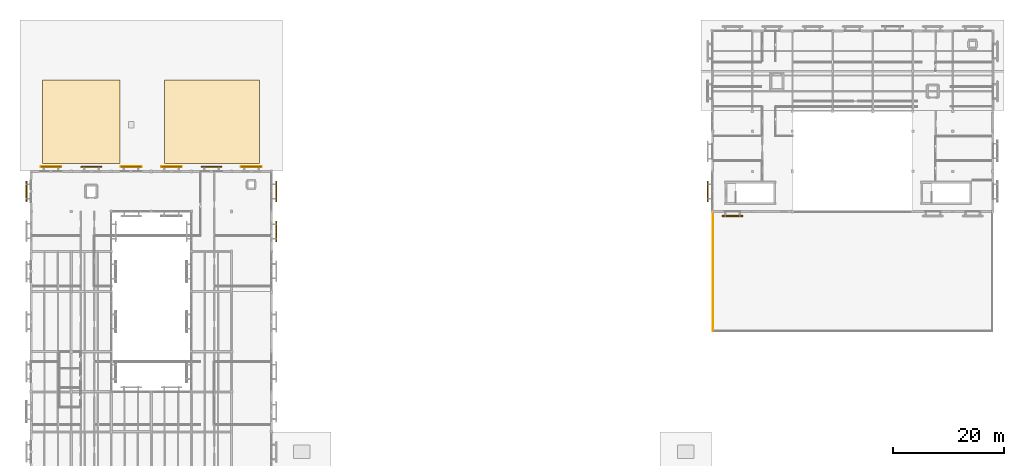
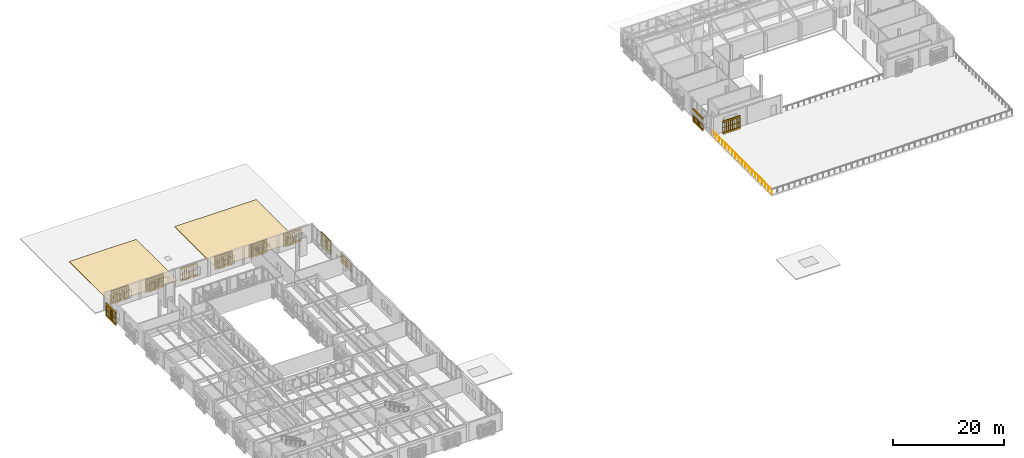
# One storey, part 59 of 61: 22 coverings, 22 railings.
"""IFC4 building model written with IfcOpenShell, lengths in metres."""

from ifc_helpers import new_model, si_unit, direction, frame, origin, origin_2d, place, context, subcontext, project, spatial, polyline, circle, outline, extrude, material, layer, layer_set, type_object, element, save


model = new_model("IFC4")

# Units and contexts
model_context = context("Model", 3, precision=1e-05, world=origin(), true_north=direction((0.0, 1.0)))
body_context = subcontext(model_context, "Body", "Model", "MODEL_VIEW")
ifc_project = project(units=[si_unit("LENGTHUNIT", "METRE"), si_unit("AREAUNIT", "SQUARE_METRE"), si_unit("VOLUMEUNIT", "CUBIC_METRE"), si_unit("PLANEANGLEUNIT", "RADIAN"), si_unit("MASSUNIT", "GRAM", prefix="KILO")], contexts=[model_context])

# Site, building, storey
site_placement = place(None, origin())
site = spatial("IfcSite", under=ifc_project, at=site_placement, CompositionType="ELEMENT")
building_placement = place(site_placement, origin())
building = spatial("IfcBuilding", under=site, at=building_placement, Name="Mazaris Harbour Polytechnic", CompositionType="ELEMENT")
storey_placement = place(building_placement, frame((0.0, 0.0, 18.0)))
storey = spatial("IfcBuildingStorey", under=building, at=storey_placement, Name="L04", CompositionType="ELEMENT", Elevation=18.0)

# Railings
ifc_material_1 = material(Name="Algerian Buff Limestone", Category="masonry")
railing_type_1 = type_object("IfcRailingType", Name="Limestone Roof Garden Balustrade 1100", PredefinedType="BALUSTRADE", material=ifc_material_1)
railing_1_placement = place(storey_placement, frame((122.52001953125, 68.39990234375, 0.0)))
element("IfcRailing", 1, at=railing_1_placement, inside=storey, type_object=railing_type_1, Name="Railing BAL-V5-W", PredefinedType="BALUSTRADE", context=body_context, shape_type="SweptSolid", body=[
    extrude(circle(Radius=0.02392578125, at=origin_2d()), frame((0.0, 0.0, 1.09619140625), z_axis=(0.0, -1.0, 0.0), x_axis=(1.0, 0.0, 0.0)), (0.0, 0.0, 1.0), 21.47998046875),
    extrude(circle(Radius=0.02099609375, at=origin_2d()), origin(), (0.0, 0.0, 1.0), 1.072021484375),
    extrude(circle(Radius=0.02099609375, at=origin_2d()), frame((0.0, -1.193359375, 0.0)), (0.0, 0.0, 1.0), 1.072021484375),
    extrude(circle(Radius=0.02099609375, at=origin_2d()), frame((0.0, -2.38671875, 0.0)), (0.0, 0.0, 1.0), 1.072021484375),
    extrude(circle(Radius=0.02099609375, at=origin_2d()), frame((0.0, -3.580078125, 0.0)), (0.0, 0.0, 1.0), 1.072021484375),
    extrude(circle(Radius=0.02099609375, at=origin_2d()), frame((0.0, -4.7734375, 0.0)), (0.0, 0.0, 1.0), 1.072021484375),
    extrude(circle(Radius=0.02099609375, at=origin_2d()), frame((0.0, -5.966552734375, 0.0)), (0.0, 0.0, 1.0), 1.072021484375),
    extrude(circle(Radius=0.02099609375, at=origin_2d()), frame((0.0, -7.159912109375, 0.0)), (0.0, 0.0, 1.0), 1.072021484375),
    extrude(circle(Radius=0.02099609375, at=origin_2d()), frame((0.0, -8.353271484375, 0.0)), (0.0, 0.0, 1.0), 1.072021484375),
    extrude(circle(Radius=0.02099609375, at=origin_2d()), frame((0.0, -9.546630859375, 0.0)), (0.0, 0.0, 1.0), 1.072021484375),
    extrude(circle(Radius=0.02099609375, at=origin_2d()), frame((0.0, -10.739990234375, 0.0)), (0.0, 0.0, 1.0), 1.072021484375),
    extrude(circle(Radius=0.02099609375, at=origin_2d()), frame((0.0, -11.933349609375, 0.0)), (0.0, 0.0, 1.0), 1.072021484375),
    extrude(circle(Radius=0.02099609375, at=origin_2d()), frame((0.0, -13.126708984375, 0.0)), (0.0, 0.0, 1.0), 1.072021484375),
    extrude(circle(Radius=0.02099609375, at=origin_2d()), frame((0.0, -14.320068359375, 0.0)), (0.0, 0.0, 1.0), 1.072021484375),
    extrude(circle(Radius=0.02099609375, at=origin_2d()), frame((0.0, -15.513427734375, 0.0)), (0.0, 0.0, 1.0), 1.072021484375),
    extrude(circle(Radius=0.02099609375, at=origin_2d()), frame((0.0, -16.70654296875, 0.0)), (0.0, 0.0, 1.0), 1.072021484375),
    extrude(circle(Radius=0.02099609375, at=origin_2d()), frame((0.0, -17.89990234375, 0.0)), (0.0, 0.0, 1.0), 1.072021484375),
    extrude(circle(Radius=0.02099609375, at=origin_2d()), frame((0.0, -19.09326171875, 0.0)), (0.0, 0.0, 1.0), 1.072021484375),
    extrude(circle(Radius=0.02099609375, at=origin_2d()), frame((0.0, -20.28662109375, 0.0)), (0.0, 0.0, 1.0), 1.072021484375),
    extrude(circle(Radius=0.02099609375, at=origin_2d()), frame((0.0, -21.47998046875, 0.0)), (0.0, 0.0, 1.0), 1.072021484375),
])
ifc_material_2 = material(Name="Perforated Earth-Coloured Terracotta Block", Category="masonry")
railing_type_2 = type_object("IfcRailingType", Name="Perforated Earth-Block Claustra Lattice 1040", PredefinedType="BALUSTRADE", material=ifc_material_2)
for number, where, name in (
    (2, (1.780029296875, 76.419921875, 0.52001953125), "V4 L04 Lower Perforated Terracotta Block Screen 300"),
    (3, (1.780029296875, 76.419921875, 1.610107421875), "V4 L04 Upper Perforated Terracotta Block Screen 300"),
):
    element("IfcRailing", number, at=place(storey_placement, frame(where)), inside=storey, type_object=railing_type_2, Name=name, PredefinedType="BALUSTRADE", context=body_context, shape_type="SweptSolid", body=[
        extrude(circle(Radius=0.06982421875, at=origin_2d()), frame((0.0, 0.0, 1.02001953125), z_axis=(1.0, 0.0, 0.0), x_axis=(0.0, 1.0, 0.0)), (0.0, 0.0, 1.0), 3.599853515625),
        extrude(circle(Radius=0.074951171875, at=origin_2d()), origin(), (0.0, 0.0, 1.0), 0.9501953125),
        extrude(circle(Radius=0.074951171875, at=origin_2d()), frame((0.449951171875, 0.0, 0.0)), (0.0, 0.0, 1.0), 0.9501953125),
        extrude(circle(Radius=0.074951171875, at=origin_2d()), frame((0.89990234375, 0.0, 0.0)), (0.0, 0.0, 1.0), 0.9501953125),
        extrude(circle(Radius=0.074951171875, at=origin_2d()), frame((1.349853515625, 0.0, 0.0)), (0.0, 0.0, 1.0), 0.9501953125),
        extrude(circle(Radius=0.074951171875, at=origin_2d()), frame((1.7998046875, 0.0, 0.0)), (0.0, 0.0, 1.0), 0.9501953125),
        extrude(circle(Radius=0.074951171875, at=origin_2d()), frame((2.25, 0.0, 0.0)), (0.0, 0.0, 1.0), 0.9501953125),
        extrude(circle(Radius=0.074951171875, at=origin_2d()), frame((2.699951171875, 0.0, 0.0)), (0.0, 0.0, 1.0), 0.9501953125),
        extrude(circle(Radius=0.074951171875, at=origin_2d()), frame((3.14990234375, 0.0, 0.0)), (0.0, 0.0, 1.0), 0.9501953125),
        extrude(circle(Radius=0.074951171875, at=origin_2d()), frame((3.599853515625, 0.0, 0.0)), (0.0, 0.0, 1.0), 0.9501953125),
    ])
for number, where, name in (
    (4, (9.02490234375, 76.419921875, 0.52001953125), "V4 L04 Lower Perforated Terracotta Block Screen 301"),
    (5, (9.02490234375, 76.419921875, 1.610107421875), "V4 L04 Upper Perforated Terracotta Block Screen 301"),
):
    element("IfcRailing", number, at=place(storey_placement, frame(where)), inside=storey, type_object=railing_type_2, Name=name, PredefinedType="BALUSTRADE", context=body_context, shape_type="SweptSolid", body=[
        extrude(circle(Radius=0.06982421875, at=origin_2d()), frame((0.0, 0.0, 1.02001953125), z_axis=(1.0, 0.0, 0.0), x_axis=(0.0, 1.0, 0.0)), (0.0, 0.0, 1.0), 3.60009765625),
        extrude(circle(Radius=0.074951171875, at=origin_2d()), origin(), (0.0, 0.0, 1.0), 0.9501953125),
        extrude(circle(Radius=0.074951171875, at=origin_2d()), frame((0.39990234375, 0.0, 0.0)), (0.0, 0.0, 1.0), 0.9501953125),
        extrude(circle(Radius=0.074951171875, at=origin_2d()), frame((0.800048828125, 0.0, 0.0)), (0.0, 0.0, 1.0), 0.9501953125),
        extrude(circle(Radius=0.074951171875, at=origin_2d()), frame((1.199951171875, 0.0, 0.0)), (0.0, 0.0, 1.0), 0.9501953125),
        extrude(circle(Radius=0.074951171875, at=origin_2d()), frame((1.60009765625, 0.0, 0.0)), (0.0, 0.0, 1.0), 0.9501953125),
        extrude(circle(Radius=0.074951171875, at=origin_2d()), frame((2.0, 0.0, 0.0)), (0.0, 0.0, 1.0), 0.9501953125),
        extrude(circle(Radius=0.074951171875, at=origin_2d()), frame((2.400146484375, 0.0, 0.0)), (0.0, 0.0, 1.0), 0.9501953125),
        extrude(circle(Radius=0.074951171875, at=origin_2d()), frame((2.800048828125, 0.0, 0.0)), (0.0, 0.0, 1.0), 0.9501953125),
        extrude(circle(Radius=0.074951171875, at=origin_2d()), frame((3.2001953125, 0.0, 0.0)), (0.0, 0.0, 1.0), 0.9501953125),
        extrude(circle(Radius=0.074951171875, at=origin_2d()), frame((3.60009765625, 0.0, 0.0)), (0.0, 0.0, 1.0), 0.9501953125),
    ])
for number, where, name in (
    (6, (16.1650390625, 76.419921875, 0.52001953125), "V4 L04 Lower Perforated Terracotta Block Screen 302"),
    (7, (16.1650390625, 76.419921875, 1.610107421875), "V4 L04 Upper Perforated Terracotta Block Screen 302"),
    (8, (23.425048828125, 76.419921875, 0.52001953125), "V4 L04 Lower Perforated Terracotta Block Screen 303"),
    (9, (23.425048828125, 76.419921875, 1.610107421875), "V4 L04 Upper Perforated Terracotta Block Screen 303"),
):
    element("IfcRailing", number, at=place(storey_placement, frame(where)), inside=storey, type_object=railing_type_2, Name=name, PredefinedType="BALUSTRADE", context=body_context, shape_type="SweptSolid", body=[
        extrude(circle(Radius=0.06982421875, at=origin_2d()), frame((0.0, 0.0, 1.02001953125), z_axis=(1.0, 0.0, 0.0), x_axis=(0.0, 1.0, 0.0)), (0.0, 0.0, 1.0), 3.599853515625),
        extrude(circle(Radius=0.074951171875, at=origin_2d()), origin(), (0.0, 0.0, 1.0), 0.9501953125),
        extrude(circle(Radius=0.074951171875, at=origin_2d()), frame((0.449951171875, 0.0, 0.0)), (0.0, 0.0, 1.0), 0.9501953125),
        extrude(circle(Radius=0.074951171875, at=origin_2d()), frame((0.89990234375, 0.0, 0.0)), (0.0, 0.0, 1.0), 0.9501953125),
        extrude(circle(Radius=0.074951171875, at=origin_2d()), frame((1.349853515625, 0.0, 0.0)), (0.0, 0.0, 1.0), 0.9501953125),
        extrude(circle(Radius=0.074951171875, at=origin_2d()), frame((1.7998046875, 0.0, 0.0)), (0.0, 0.0, 1.0), 0.9501953125),
        extrude(circle(Radius=0.074951171875, at=origin_2d()), frame((2.25, 0.0, 0.0)), (0.0, 0.0, 1.0), 0.9501953125),
        extrude(circle(Radius=0.074951171875, at=origin_2d()), frame((2.699951171875, 0.0, 0.0)), (0.0, 0.0, 1.0), 0.9501953125),
        extrude(circle(Radius=0.074951171875, at=origin_2d()), frame((3.14990234375, 0.0, 0.0)), (0.0, 0.0, 1.0), 0.9501953125),
        extrude(circle(Radius=0.074951171875, at=origin_2d()), frame((3.599853515625, 0.0, 0.0)), (0.0, 0.0, 1.0), 0.9501953125),
    ])
for number, where, name in (
    (10, (30.614990234375, 76.419921875, 0.52001953125), "V4 L04 Lower Perforated Terracotta Block Screen 304"),
    (11, (30.614990234375, 76.419921875, 1.610107421875), "V4 L04 Upper Perforated Terracotta Block Screen 304"),
):
    element("IfcRailing", number, at=place(storey_placement, frame(where)), inside=storey, type_object=railing_type_2, Name=name, PredefinedType="BALUSTRADE", context=body_context, shape_type="SweptSolid", body=[
        extrude(circle(Radius=0.06982421875, at=origin_2d()), frame((0.0, 0.0, 1.02001953125), z_axis=(1.0, 0.0, 0.0), x_axis=(0.0, 1.0, 0.0)), (0.0, 0.0, 1.0), 3.60009765625),
        extrude(circle(Radius=0.074951171875, at=origin_2d()), origin(), (0.0, 0.0, 1.0), 0.9501953125),
        extrude(circle(Radius=0.074951171875, at=origin_2d()), frame((0.39990234375, 0.0, 0.0)), (0.0, 0.0, 1.0), 0.9501953125),
        extrude(circle(Radius=0.074951171875, at=origin_2d()), frame((0.800048828125, 0.0, 0.0)), (0.0, 0.0, 1.0), 0.9501953125),
        extrude(circle(Radius=0.074951171875, at=origin_2d()), frame((1.199951171875, 0.0, 0.0)), (0.0, 0.0, 1.0), 0.9501953125),
        extrude(circle(Radius=0.074951171875, at=origin_2d()), frame((1.60009765625, 0.0, 0.0)), (0.0, 0.0, 1.0), 0.9501953125),
        extrude(circle(Radius=0.074951171875, at=origin_2d()), frame((2.0, 0.0, 0.0)), (0.0, 0.0, 1.0), 0.9501953125),
        extrude(circle(Radius=0.074951171875, at=origin_2d()), frame((2.400146484375, 0.0, 0.0)), (0.0, 0.0, 1.0), 0.9501953125),
        extrude(circle(Radius=0.074951171875, at=origin_2d()), frame((2.800048828125, 0.0, 0.0)), (0.0, 0.0, 1.0), 0.9501953125),
        extrude(circle(Radius=0.074951171875, at=origin_2d()), frame((3.2001953125, 0.0, 0.0)), (0.0, 0.0, 1.0), 0.9501953125),
        extrude(circle(Radius=0.074951171875, at=origin_2d()), frame((3.60009765625, 0.0, 0.0)), (0.0, 0.0, 1.0), 0.9501953125),
    ])
for number, where, name in (
    (12, (37.780029296875, 76.419921875, 0.52001953125), "V4 L04 Lower Perforated Terracotta Block Screen 305"),
    (13, (37.780029296875, 76.419921875, 1.610107421875), "V4 L04 Upper Perforated Terracotta Block Screen 305"),
):
    element("IfcRailing", number, at=place(storey_placement, frame(where)), inside=storey, type_object=railing_type_2, Name=name, PredefinedType="BALUSTRADE", context=body_context, shape_type="SweptSolid", body=[
        extrude(circle(Radius=0.06982421875, at=origin_2d()), frame((0.0, 0.0, 1.02001953125), z_axis=(1.0, 0.0, 0.0), x_axis=(0.0, 1.0, 0.0)), (0.0, 0.0, 1.0), 3.599853515625),
        extrude(circle(Radius=0.074951171875, at=origin_2d()), origin(), (0.0, 0.0, 1.0), 0.9501953125),
        extrude(circle(Radius=0.074951171875, at=origin_2d()), frame((0.449951171875, 0.0, 0.0)), (0.0, 0.0, 1.0), 0.9501953125),
        extrude(circle(Radius=0.074951171875, at=origin_2d()), frame((0.89990234375, 0.0, 0.0)), (0.0, 0.0, 1.0), 0.9501953125),
        extrude(circle(Radius=0.074951171875, at=origin_2d()), frame((1.349853515625, 0.0, 0.0)), (0.0, 0.0, 1.0), 0.9501953125),
        extrude(circle(Radius=0.074951171875, at=origin_2d()), frame((1.7998046875, 0.0, 0.0)), (0.0, 0.0, 1.0), 0.9501953125),
        extrude(circle(Radius=0.074951171875, at=origin_2d()), frame((2.25, 0.0, 0.0)), (0.0, 0.0, 1.0), 0.9501953125),
        extrude(circle(Radius=0.074951171875, at=origin_2d()), frame((2.699951171875, 0.0, 0.0)), (0.0, 0.0, 1.0), 0.9501953125),
        extrude(circle(Radius=0.074951171875, at=origin_2d()), frame((3.14990234375, 0.0, 0.0)), (0.0, 0.0, 1.0), 0.9501953125),
        extrude(circle(Radius=0.074951171875, at=origin_2d()), frame((3.599853515625, 0.0, 0.0)), (0.0, 0.0, 1.0), 0.9501953125),
    ])
for number, where, name in (
    (14, (-0.820068359375, 70.18994140625, 0.52001953125), "V4 L04 Lower Perforated Terracotta Block Screen 314"),
    (15, (-0.820068359375, 70.18994140625, 1.610107421875), "V4 L04 Upper Perforated Terracotta Block Screen 314"),
):
    element("IfcRailing", number, at=place(storey_placement, frame(where)), inside=storey, type_object=railing_type_2, Name=name, PredefinedType="BALUSTRADE", context=body_context, shape_type="SweptSolid", body=[
        extrude(circle(Radius=0.06982421875, at=origin_2d()), frame((0.0, 0.0, 1.02001953125), z_axis=(0.0, 1.0, 0.0), x_axis=(-1.0, 0.0, 0.0)), (0.0, 0.0, 1.0), 3.60009765625),
        extrude(circle(Radius=0.074951171875, at=origin_2d()), origin(), (0.0, 0.0, 1.0), 0.9501953125),
        extrude(circle(Radius=0.074951171875, at=origin_2d()), frame((0.0, 0.39990234375, 0.0)), (0.0, 0.0, 1.0), 0.9501953125),
        extrude(circle(Radius=0.074951171875, at=origin_2d()), frame((0.0, 0.800048828125, 0.0)), (0.0, 0.0, 1.0), 0.9501953125),
        extrude(circle(Radius=0.074951171875, at=origin_2d()), frame((0.0, 1.199951171875, 0.0)), (0.0, 0.0, 1.0), 0.9501953125),
        extrude(circle(Radius=0.074951171875, at=origin_2d()), frame((0.0, 1.60009765625, 0.0)), (0.0, 0.0, 1.0), 0.9501953125),
        extrude(circle(Radius=0.074951171875, at=origin_2d()), frame((0.0, 2.0, 0.0)), (0.0, 0.0, 1.0), 0.9501953125),
        extrude(circle(Radius=0.074951171875, at=origin_2d()), frame((0.0, 2.400146484375, 0.0)), (0.0, 0.0, 1.0), 0.9501953125),
        extrude(circle(Radius=0.074951171875, at=origin_2d()), frame((0.0, 2.800048828125, 0.0)), (0.0, 0.0, 1.0), 0.9501953125),
        extrude(circle(Radius=0.074951171875, at=origin_2d()), frame((0.0, 3.2001953125, 0.0)), (0.0, 0.0, 1.0), 0.9501953125),
        extrude(circle(Radius=0.074951171875, at=origin_2d()), frame((0.0, 3.60009765625, 0.0)), (0.0, 0.0, 1.0), 0.9501953125),
    ])
for number, where, name in (
    (16, (44.02001953125, 66.590087890625, 0.52001953125), "V4 L04 Lower Perforated Terracotta Block Screen 322"),
    (17, (44.02001953125, 66.590087890625, 1.610107421875), "V4 L04 Upper Perforated Terracotta Block Screen 322"),
    (18, (44.02001953125, 73.7900390625, 0.52001953125), "V4 L04 Lower Perforated Terracotta Block Screen 323"),
    (19, (44.02001953125, 73.7900390625, 1.610107421875), "V4 L04 Upper Perforated Terracotta Block Screen 323"),
):
    element("IfcRailing", number, at=place(storey_placement, frame(where)), inside=storey, type_object=railing_type_2, Name=name, PredefinedType="BALUSTRADE", context=body_context, shape_type="SweptSolid", body=[
        extrude(circle(Radius=0.06982421875, at=origin_2d()), frame((0.0, 0.0, 1.02001953125), z_axis=(0.0, -1.0, 0.0), x_axis=(1.0, 0.0, 0.0)), (0.0, 0.0, 1.0), 3.60009765625),
        extrude(circle(Radius=0.074951171875, at=origin_2d()), origin(), (0.0, 0.0, 1.0), 0.9501953125),
        extrude(circle(Radius=0.074951171875, at=origin_2d()), frame((0.0, -0.39990234375, 0.0)), (0.0, 0.0, 1.0), 0.9501953125),
        extrude(circle(Radius=0.074951171875, at=origin_2d()), frame((0.0, -0.800048828125, 0.0)), (0.0, 0.0, 1.0), 0.9501953125),
        extrude(circle(Radius=0.074951171875, at=origin_2d()), frame((0.0, -1.199951171875, 0.0)), (0.0, 0.0, 1.0), 0.9501953125),
        extrude(circle(Radius=0.074951171875, at=origin_2d()), frame((0.0, -1.60009765625, 0.0)), (0.0, 0.0, 1.0), 0.9501953125),
        extrude(circle(Radius=0.074951171875, at=origin_2d()), frame((0.0, -2.0, 0.0)), (0.0, 0.0, 1.0), 0.9501953125),
        extrude(circle(Radius=0.074951171875, at=origin_2d()), frame((0.0, -2.400146484375, 0.0)), (0.0, 0.0, 1.0), 0.9501953125),
        extrude(circle(Radius=0.074951171875, at=origin_2d()), frame((0.0, -2.800048828125, 0.0)), (0.0, 0.0, 1.0), 0.9501953125),
        extrude(circle(Radius=0.074951171875, at=origin_2d()), frame((0.0, -3.2001953125, 0.0)), (0.0, 0.0, 1.0), 0.9501953125),
        extrude(circle(Radius=0.074951171875, at=origin_2d()), frame((0.0, -3.60009765625, 0.0)), (0.0, 0.0, 1.0), 0.9501953125),
    ])
for number, where, name in (
    (20, (127.820068359375, 67.580078125, 0.52001953125), "V5 L04 Lower Perforated Terracotta Block Screen 485"),
    (21, (127.820068359375, 67.580078125, 1.610107421875), "V5 L04 Upper Perforated Terracotta Block Screen 485"),
):
    element("IfcRailing", number, at=place(storey_placement, frame(where)), inside=storey, type_object=railing_type_2, Name=name, PredefinedType="BALUSTRADE", context=body_context, shape_type="SweptSolid", body=[
        extrude(circle(Radius=0.06982421875, at=origin_2d()), frame((0.0, 0.0, 1.02001953125), z_axis=(-1.0, 0.0, 0.0), x_axis=(0.0, -1.0, 0.0)), (0.0, 0.0, 1.0), 3.60009765625),
        extrude(circle(Radius=0.074951171875, at=origin_2d()), origin(), (0.0, 0.0, 1.0), 0.9501953125),
        extrude(circle(Radius=0.074951171875, at=origin_2d()), frame((-0.39990234375, 0.0, 0.0)), (0.0, 0.0, 1.0), 0.9501953125),
        extrude(circle(Radius=0.074951171875, at=origin_2d()), frame((-0.800048828125, 0.0, 0.0)), (0.0, 0.0, 1.0), 0.9501953125),
        extrude(circle(Radius=0.074951171875, at=origin_2d()), frame((-1.199951171875, 0.0, 0.0)), (0.0, 0.0, 1.0), 0.9501953125),
        extrude(circle(Radius=0.074951171875, at=origin_2d()), frame((-1.60009765625, 0.0, 0.0)), (0.0, 0.0, 1.0), 0.9501953125),
        extrude(circle(Radius=0.074951171875, at=origin_2d()), frame((-2.0, 0.0, 0.0)), (0.0, 0.0, 1.0), 0.9501953125),
        extrude(circle(Radius=0.074951171875, at=origin_2d()), frame((-2.400146484375, 0.0, 0.0)), (0.0, 0.0, 1.0), 0.9501953125),
        extrude(circle(Radius=0.074951171875, at=origin_2d()), frame((-2.800048828125, 0.0, 0.0)), (0.0, 0.0, 1.0), 0.9501953125),
        extrude(circle(Radius=0.074951171875, at=origin_2d()), frame((-3.2001953125, 0.0, 0.0)), (0.0, 0.0, 1.0), 0.9501953125),
        extrude(circle(Radius=0.074951171875, at=origin_2d()), frame((-3.60009765625, 0.0, 0.0)), (0.0, 0.0, 1.0), 0.9501953125),
    ])
railing_2_placement = place(storey_placement, frame((121.580078125, 70.18994140625, 0.52001953125)))
element("IfcRailing", 22, at=railing_2_placement, inside=storey, type_object=railing_type_2, Name="V5 L04 Lower Perforated Terracotta Block Screen 495", PredefinedType="BALUSTRADE", context=body_context, shape_type="SweptSolid", body=[
    extrude(circle(Radius=0.06982421875, at=origin_2d()), frame((0.0, 0.0, 1.02001953125), z_axis=(0.0, 1.0, 0.0), x_axis=(-1.0, 0.0, 0.0)), (0.0, 0.0, 1.0), 3.60009765625),
    extrude(circle(Radius=0.074951171875, at=origin_2d()), origin(), (0.0, 0.0, 1.0), 0.9501953125),
    extrude(circle(Radius=0.074951171875, at=origin_2d()), frame((0.0, 0.39990234375, 0.0)), (0.0, 0.0, 1.0), 0.9501953125),
    extrude(circle(Radius=0.074951171875, at=origin_2d()), frame((0.0, 0.800048828125, 0.0)), (0.0, 0.0, 1.0), 0.9501953125),
    extrude(circle(Radius=0.074951171875, at=origin_2d()), frame((0.0, 1.199951171875, 0.0)), (0.0, 0.0, 1.0), 0.9501953125),
    extrude(circle(Radius=0.074951171875, at=origin_2d()), frame((0.0, 1.60009765625, 0.0)), (0.0, 0.0, 1.0), 0.9501953125),
    extrude(circle(Radius=0.074951171875, at=origin_2d()), frame((0.0, 2.0, 0.0)), (0.0, 0.0, 1.0), 0.9501953125),
    extrude(circle(Radius=0.074951171875, at=origin_2d()), frame((0.0, 2.400146484375, 0.0)), (0.0, 0.0, 1.0), 0.9501953125),
    extrude(circle(Radius=0.074951171875, at=origin_2d()), frame((0.0, 2.800048828125, 0.0)), (0.0, 0.0, 1.0), 0.9501953125),
    extrude(circle(Radius=0.074951171875, at=origin_2d()), frame((0.0, 3.2001953125, 0.0)), (0.0, 0.0, 1.0), 0.9501953125),
    extrude(circle(Radius=0.074951171875, at=origin_2d()), frame((0.0, 3.60009765625, 0.0)), (0.0, 0.0, 1.0), 0.9501953125),
])

# Coverings
ifc_material_3 = material(Name="Patinated Standing-Seam Zinc")
ifc_layer_1 = layer(ifc_material_3, 0.044921875, Name="Patinated Standing-Seam Zinc")
ifc_layer_set_1 = layer_set([ifc_layer_1], Name="Patinated Standing-Seam Zinc")
covering_type_1 = type_object("IfcCoveringType", Name="Standing-Seam Zinc Roof Covering 45", PredefinedType="ROOFING", material=ifc_layer_set_1)
covering_1_placement = place(storey_placement, origin())
element("IfcCovering", 23, at=covering_1_placement, inside=storey, type_object=covering_type_1, Name="Covering COV-RF-02", PredefinedType="ROOFING", context=body_context, shape_type="SweptSolid", body=[
    extrude(outline(polyline([(2.0, 77.0), (16.0, 77.0), (16.0, 92.0), (2.0, 92.0), (2.0, 77.0)])), origin(), (0.0, 0.0, 1.0), 0.044921875),
])
covering_2_placement = place(storey_placement, origin())
element("IfcCovering", 24, at=covering_2_placement, inside=storey, type_object=covering_type_1, Name="Covering COV-RF-03", PredefinedType="ROOFING", context=body_context, shape_type="SweptSolid", body=[
    extrude(outline(polyline([(24.0, 77.0), (41.0, 77.0), (41.0, 92.0), (24.0, 92.0), (24.0, 77.0)])), origin(), (0.0, 0.0, 1.0), 0.044921875),
])
ifc_material_4 = material(Name="Perforated Earth-Coloured Terracotta Block", Category="masonry")
ifc_layer_2 = layer(ifc_material_4, 0.219970703125, Name="Perforated Earth-Coloured Terracotta Block")
ifc_layer_set_2 = layer_set([ifc_layer_2], Name="Perforated Earth-Coloured Terracotta Block")
covering_type_2 = type_object("IfcCoveringType", Name="Terracotta Screen Course Cladding 220", PredefinedType="CLADDING", material=ifc_layer_set_2)
covering_3_placement = place(storey_placement, frame((0.0, 0.0, 0.159912109375)))
element("IfcCovering", 25, at=covering_3_placement, inside=storey, type_object=covering_type_2, Name="V4 L04 Perforated Screen Sill Course 300", PredefinedType="CLADDING", context=body_context, shape_type="SweptSolid", body=[
    extrude(outline(polyline([(1.780029296875, 76.31005859375), (5.3798828125, 76.31005859375), (5.3798828125, 76.530029296875), (1.780029296875, 76.530029296875), (1.780029296875, 76.31005859375)])), origin(), (0.0, 0.0, 1.0), 0.360107421875),
])
covering_4_placement = place(storey_placement, frame((0.0, 0.0, 2.699951171875)))
element("IfcCovering", 26, at=covering_4_placement, inside=storey, type_object=covering_type_2, Name="V4 L04 Perforated Screen Lintel Course 300", PredefinedType="CLADDING", context=body_context, shape_type="SweptSolid", body=[
    extrude(outline(polyline([(1.780029296875, 76.31005859375), (5.3798828125, 76.31005859375), (5.3798828125, 76.530029296875), (1.780029296875, 76.530029296875), (1.780029296875, 76.31005859375)])), origin(), (0.0, 0.0, 1.0), 0.340087890625),
])
covering_5_placement = place(storey_placement, frame((0.0, 0.0, 0.159912109375)))
element("IfcCovering", 27, at=covering_5_placement, inside=storey, type_object=covering_type_2, Name="V4 L04 Perforated Screen Sill Course 301", PredefinedType="CLADDING", context=body_context, shape_type="SweptSolid", body=[
    extrude(outline(polyline([(9.02490234375, 76.31005859375), (12.625, 76.31005859375), (12.625, 76.530029296875), (9.02490234375, 76.530029296875), (9.02490234375, 76.31005859375)])), origin(), (0.0, 0.0, 1.0), 0.360107421875),
])
covering_6_placement = place(storey_placement, frame((0.0, 0.0, 2.699951171875)))
element("IfcCovering", 28, at=covering_6_placement, inside=storey, type_object=covering_type_2, Name="V4 L04 Perforated Screen Lintel Course 301", PredefinedType="CLADDING", context=body_context, shape_type="SweptSolid", body=[
    extrude(outline(polyline([(9.02490234375, 76.31005859375), (12.625, 76.31005859375), (12.625, 76.530029296875), (9.02490234375, 76.530029296875), (9.02490234375, 76.31005859375)])), origin(), (0.0, 0.0, 1.0), 0.340087890625),
])
covering_7_placement = place(storey_placement, frame((0.0, 0.0, 0.159912109375)))
element("IfcCovering", 29, at=covering_7_placement, inside=storey, type_object=covering_type_2, Name="V4 L04 Perforated Screen Sill Course 302", PredefinedType="CLADDING", context=body_context, shape_type="SweptSolid", body=[
    extrude(outline(polyline([(16.1650390625, 76.31005859375), (19.764892578125, 76.31005859375), (19.764892578125, 76.530029296875), (16.1650390625, 76.530029296875), (16.1650390625, 76.31005859375)])), origin(), (0.0, 0.0, 1.0), 0.360107421875),
])
covering_8_placement = place(storey_placement, frame((0.0, 0.0, 2.699951171875)))
element("IfcCovering", 30, at=covering_8_placement, inside=storey, type_object=covering_type_2, Name="V4 L04 Perforated Screen Lintel Course 302", PredefinedType="CLADDING", context=body_context, shape_type="SweptSolid", body=[
    extrude(outline(polyline([(16.1650390625, 76.31005859375), (19.764892578125, 76.31005859375), (19.764892578125, 76.530029296875), (16.1650390625, 76.530029296875), (16.1650390625, 76.31005859375)])), origin(), (0.0, 0.0, 1.0), 0.340087890625),
])
covering_9_placement = place(storey_placement, frame((0.0, 0.0, 0.159912109375)))
element("IfcCovering", 31, at=covering_9_placement, inside=storey, type_object=covering_type_2, Name="V4 L04 Perforated Screen Sill Course 303", PredefinedType="CLADDING", context=body_context, shape_type="SweptSolid", body=[
    extrude(outline(polyline([(23.425048828125, 76.31005859375), (27.02490234375, 76.31005859375), (27.02490234375, 76.530029296875), (23.425048828125, 76.530029296875), (23.425048828125, 76.31005859375)])), origin(), (0.0, 0.0, 1.0), 0.360107421875),
])
covering_10_placement = place(storey_placement, frame((0.0, 0.0, 2.699951171875)))
element("IfcCovering", 32, at=covering_10_placement, inside=storey, type_object=covering_type_2, Name="V4 L04 Perforated Screen Lintel Course 303", PredefinedType="CLADDING", context=body_context, shape_type="SweptSolid", body=[
    extrude(outline(polyline([(23.425048828125, 76.31005859375), (27.02490234375, 76.31005859375), (27.02490234375, 76.530029296875), (23.425048828125, 76.530029296875), (23.425048828125, 76.31005859375)])), origin(), (0.0, 0.0, 1.0), 0.340087890625),
])
covering_11_placement = place(storey_placement, frame((0.0, 0.0, 0.159912109375)))
element("IfcCovering", 33, at=covering_11_placement, inside=storey, type_object=covering_type_2, Name="V4 L04 Perforated Screen Sill Course 304", PredefinedType="CLADDING", context=body_context, shape_type="SweptSolid", body=[
    extrude(outline(polyline([(30.614990234375, 76.31005859375), (34.215087890625, 76.31005859375), (34.215087890625, 76.530029296875), (30.614990234375, 76.530029296875), (30.614990234375, 76.31005859375)])), origin(), (0.0, 0.0, 1.0), 0.360107421875),
])
covering_12_placement = place(storey_placement, frame((0.0, 0.0, 2.699951171875)))
element("IfcCovering", 34, at=covering_12_placement, inside=storey, type_object=covering_type_2, Name="V4 L04 Perforated Screen Lintel Course 304", PredefinedType="CLADDING", context=body_context, shape_type="SweptSolid", body=[
    extrude(outline(polyline([(30.614990234375, 76.31005859375), (34.215087890625, 76.31005859375), (34.215087890625, 76.530029296875), (30.614990234375, 76.530029296875), (30.614990234375, 76.31005859375)])), origin(), (0.0, 0.0, 1.0), 0.340087890625),
])
covering_13_placement = place(storey_placement, frame((0.0, 0.0, 0.159912109375)))
element("IfcCovering", 35, at=covering_13_placement, inside=storey, type_object=covering_type_2, Name="V4 L04 Perforated Screen Sill Course 305", PredefinedType="CLADDING", context=body_context, shape_type="SweptSolid", body=[
    extrude(outline(polyline([(37.780029296875, 76.31005859375), (41.3798828125, 76.31005859375), (41.3798828125, 76.530029296875), (37.780029296875, 76.530029296875), (37.780029296875, 76.31005859375)])), origin(), (0.0, 0.0, 1.0), 0.360107421875),
])
covering_14_placement = place(storey_placement, frame((0.0, 0.0, 2.699951171875)))
element("IfcCovering", 36, at=covering_14_placement, inside=storey, type_object=covering_type_2, Name="V4 L04 Perforated Screen Lintel Course 305", PredefinedType="CLADDING", context=body_context, shape_type="SweptSolid", body=[
    extrude(outline(polyline([(37.780029296875, 76.31005859375), (41.3798828125, 76.31005859375), (41.3798828125, 76.530029296875), (37.780029296875, 76.530029296875), (37.780029296875, 76.31005859375)])), origin(), (0.0, 0.0, 1.0), 0.340087890625),
])
covering_15_placement = place(storey_placement, frame((0.0, 0.0, 0.159912109375)))
element("IfcCovering", 37, at=covering_15_placement, inside=storey, type_object=covering_type_2, Name="V4 L04 Perforated Screen Sill Course 314", PredefinedType="CLADDING", context=body_context, shape_type="SweptSolid", body=[
    extrude(outline(polyline([(-0.7099609375, 70.18994140625), (-0.7099609375, 73.7900390625), (-0.929931640625, 73.7900390625), (-0.929931640625, 70.18994140625), (-0.7099609375, 70.18994140625)])), origin(), (0.0, 0.0, 1.0), 0.360107421875),
])
covering_16_placement = place(storey_placement, frame((0.0, 0.0, 2.699951171875)))
element("IfcCovering", 38, at=covering_16_placement, inside=storey, type_object=covering_type_2, Name="V4 L04 Perforated Screen Lintel Course 314", PredefinedType="CLADDING", context=body_context, shape_type="SweptSolid", body=[
    extrude(outline(polyline([(-0.7099609375, 70.18994140625), (-0.7099609375, 73.7900390625), (-0.929931640625, 73.7900390625), (-0.929931640625, 70.18994140625), (-0.7099609375, 70.18994140625)])), origin(), (0.0, 0.0, 1.0), 0.340087890625),
])
covering_17_placement = place(storey_placement, frame((0.0, 0.0, 0.159912109375)))
element("IfcCovering", 39, at=covering_17_placement, inside=storey, type_object=covering_type_2, Name="V4 L04 Perforated Screen Sill Course 323", PredefinedType="CLADDING", context=body_context, shape_type="SweptSolid", body=[
    extrude(outline(polyline([(43.909912109375, 73.7900390625), (43.909912109375, 70.18994140625), (44.1298828125, 70.18994140625), (44.1298828125, 73.7900390625), (43.909912109375, 73.7900390625)])), origin(), (0.0, 0.0, 1.0), 0.360107421875),
])
covering_18_placement = place(storey_placement, frame((0.0, 0.0, 2.699951171875)))
element("IfcCovering", 40, at=covering_18_placement, inside=storey, type_object=covering_type_2, Name="V4 L04 Perforated Screen Lintel Course 323", PredefinedType="CLADDING", context=body_context, shape_type="SweptSolid", body=[
    extrude(outline(polyline([(43.909912109375, 73.7900390625), (43.909912109375, 70.18994140625), (44.1298828125, 70.18994140625), (44.1298828125, 73.7900390625), (43.909912109375, 73.7900390625)])), origin(), (0.0, 0.0, 1.0), 0.340087890625),
])
covering_19_placement = place(storey_placement, frame((0.0, 0.0, 0.159912109375)))
element("IfcCovering", 41, at=covering_19_placement, inside=storey, type_object=covering_type_2, Name="V5 L04 Perforated Screen Sill Course 485", PredefinedType="CLADDING", context=body_context, shape_type="SweptSolid", body=[
    extrude(outline(polyline([(127.820068359375, 67.68994140625), (124.219970703125, 67.68994140625), (124.219970703125, 67.469970703125), (127.820068359375, 67.469970703125), (127.820068359375, 67.68994140625)])), origin(), (0.0, 0.0, 1.0), 0.360107421875),
])
covering_20_placement = place(storey_placement, frame((0.0, 0.0, 2.699951171875)))
element("IfcCovering", 42, at=covering_20_placement, inside=storey, type_object=covering_type_2, Name="V5 L04 Perforated Screen Lintel Course 485", PredefinedType="CLADDING", context=body_context, shape_type="SweptSolid", body=[
    extrude(outline(polyline([(127.820068359375, 67.68994140625), (124.219970703125, 67.68994140625), (124.219970703125, 67.469970703125), (127.820068359375, 67.469970703125), (127.820068359375, 67.68994140625)])), origin(), (0.0, 0.0, 1.0), 0.340087890625),
])
covering_21_placement = place(storey_placement, frame((0.0, 0.0, 0.159912109375)))
element("IfcCovering", 43, at=covering_21_placement, inside=storey, type_object=covering_type_2, Name="V5 L04 Perforated Screen Sill Course 495", PredefinedType="CLADDING", context=body_context, shape_type="SweptSolid", body=[
    extrude(outline(polyline([(121.68994140625, 70.18994140625), (121.68994140625, 73.7900390625), (121.469970703125, 73.7900390625), (121.469970703125, 70.18994140625), (121.68994140625, 70.18994140625)])), origin(), (0.0, 0.0, 1.0), 0.360107421875),
])
covering_22_placement = place(storey_placement, frame((0.0, 0.0, 2.699951171875)))
element("IfcCovering", 44, at=covering_22_placement, inside=storey, type_object=covering_type_2, Name="V5 L04 Perforated Screen Lintel Course 495", PredefinedType="CLADDING", context=body_context, shape_type="SweptSolid", body=[
    extrude(outline(polyline([(121.68994140625, 70.18994140625), (121.68994140625, 73.7900390625), (121.469970703125, 73.7900390625), (121.469970703125, 70.18994140625), (121.68994140625, 70.18994140625)])), origin(), (0.0, 0.0, 1.0), 0.340087890625),
])

save(model, "model.ifc")
